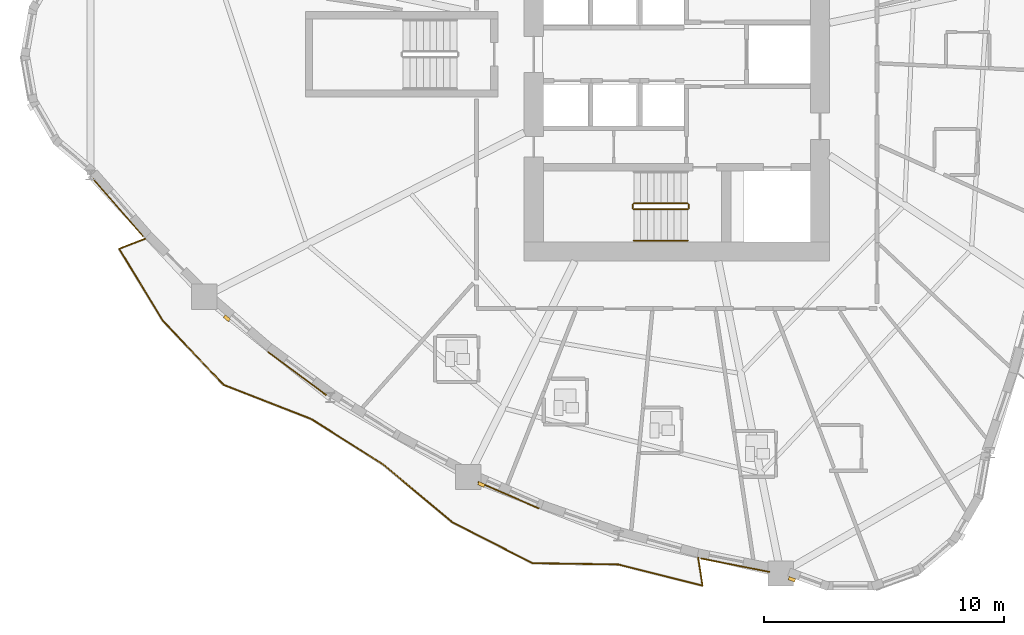
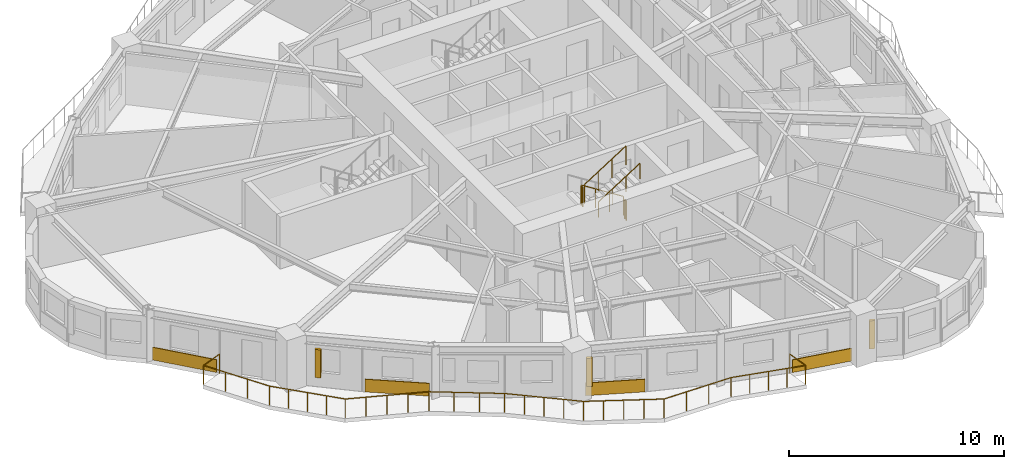
# One storey, part 10 of 14: 6 railings, 4 coverings, 3 shading devices.
"""IFC4 building model written with IfcOpenShell, lengths in metres."""

from ifc_helpers import new_model, si_unit, direction, frame, origin, origin_2d, place, context, subcontext, project, spatial, rectangle, circle, extrude, source, transform, mapped, material, layer, layer_set, type_object, element, save


model = new_model("IFC4")

# Units and contexts
model_context = context("Model", 3, precision=1e-05, world=origin(), true_north=direction((0.0, 1.0)))
body_context = subcontext(model_context, "Body", "Model", "MODEL_VIEW")
ifc_project = project(units=[si_unit("LENGTHUNIT", "METRE"), si_unit("AREAUNIT", "SQUARE_METRE"), si_unit("VOLUMEUNIT", "CUBIC_METRE"), si_unit("PLANEANGLEUNIT", "RADIAN"), si_unit("MASSUNIT", "GRAM", prefix="KILO")], contexts=[model_context])

# Site, building, storey
site_placement = place(None, origin())
site = spatial("IfcSite", under=ifc_project, at=site_placement, CompositionType="ELEMENT")
building_placement = place(site_placement, origin())
building = spatial("IfcBuilding", under=site, at=building_placement, Name="Qafzar Sky-Pleat Residences", CompositionType="ELEMENT")
storey_placement = place(building_placement, frame((0.0, 0.0, 20.60009765625)))
storey = spatial("IfcBuildingStorey", under=building, at=storey_placement, Name="L05", CompositionType="ELEMENT", Elevation=20.60009765625)

# Shading devices
ifc_material_1 = material(Name="Honed Riyadh limestone solar fin", Category="masonry")
ifc_layer_1 = layer(ifc_material_1, 0.139892578125)
ifc_layer_set_1 = layer_set([ifc_layer_1], Name="Honed Riyadh limestone solar fin")
shading_device_type = type_object("IfcShadingDeviceType", Name="SHD-FIN-STONE", PredefinedType="SHUTTER", material=ifc_layer_set_1)
shared_shape_1 = source(origin(), body_context, "Body", "SweptSolid", [
    extrude(rectangle(XDim=0.139892578125, YDim=0.280029296875, at=origin_2d()), origin(), (0.0, 0.0, 1.0), 1.60009765625),
])
for number, where, z_axis, x_axis, name in (
    (1, (11.630126953125, 15.019287109375, 0.599853515625), (0.0, 0.0, 1.0), (-0.65284819166, -0.757488771301, 0.0), "L05 Limestone Solar Fin 9"),
    (2, (22.21728515625, 8.102783203125, 0.599853515625), (0.0, 0.0, 1.0), (-0.398680095478, -0.917090061809, 0.0), "L05 Limestone Solar Fin 13"),
    (3, (35.13525390625, 4.159423828125, 0.599853515625), (0.0, 0.0, 1.0), (-0.342010122116, -0.939696268148, 0.0), "L05 Limestone Solar Fin 17"),
):
    element("IfcShadingDevice", number, at=place(storey_placement, frame(where, z_axis=z_axis, x_axis=x_axis)), inside=storey, type_object=shading_device_type, Name=name, PredefinedType="SHUTTER", context=body_context, shape_type="MappedRepresentation", body=[
        mapped(shared_shape_1, transform((0.0, 0.0, 0.0), x_axis=(1.0, 0.0, 0.0), y_axis=(0.0, 1.0, 0.0), z_axis=(0.0, 0.0, 1.0), scale=1.0)),
    ])

# Railing
ifc_material_2 = material(Name="Laminated glass and bronze steel balustrade", Category="steel")
railing_type_1 = type_object("IfcRailingType", Name="RAIL-BAL-1100", PredefinedType="BALUSTRADE", material=ifc_material_2)
shared_shape_2 = source(origin(), body_context, "Body", "SweptSolid", [
    extrude(circle(Radius=0.02392578125, at=origin_2d()), frame((0.0, 0.0, 1.076171875), z_axis=(-0.932230081544, -0.361866101017, 0.0), x_axis=(0.361866101017, -0.932230081544, 0.0)), (0.0, 0.0, 1.0), 1.177978515625),
    extrude(circle(Radius=0.02392578125, at=origin_2d()), frame((-1.09814453125, -0.42626953125, 1.076171875), z_axis=(0.519661726711, -0.854372102653, 0.0), x_axis=(0.854372102653, 0.519661726711, 0.0)), (0.0, 0.0, 1.0), 3.50341796875),
    extrude(circle(Radius=0.02392578125, at=origin_2d()), frame((0.722412109375, -3.41943359375, 1.076171875), z_axis=(0.687709565512, -0.725985918254, 0.0), x_axis=(0.725985918254, 0.687709565512, 0.0)), (0.0, 0.0, 1.0), 3.66748046875),
    extrude(circle(Radius=0.02392578125, at=origin_2d()), frame((3.24462890625, -6.08203125, 1.076171875), z_axis=(0.93144750127, -0.363875737552, 0.0), x_axis=(0.363875737552, 0.93144750127, 0.0)), (0.0, 0.0, 1.0), 3.9384765625),
    extrude(circle(Radius=0.02392578125, at=origin_2d()), frame((6.9130859375, -7.51513671875, 1.076171875), z_axis=(0.844773218855, -0.535124479636, 0.0), x_axis=(0.535124479636, 0.844773218855, 0.0)), (0.0, 0.0, 1.0), 3.52978515625),
    extrude(circle(Radius=0.02392578125, at=origin_2d()), frame((9.89501953125, -9.404052734375, 1.076171875), z_axis=(0.766833441336, -0.64184614453, 0.0), x_axis=(0.64184614453, 0.766833441336, 0.0)), (0.0, 0.0, 1.0), 3.72509765625),
    extrude(circle(Radius=0.02392578125, at=origin_2d()), frame((12.75146484375, -11.794921875, 1.076171875), z_axis=(0.890692057988, -0.454607146707, 0.0), x_axis=(0.454607146707, 0.890692057988, 0.0)), (0.0, 0.0, 1.0), 3.756591796875),
    extrude(circle(Radius=0.02392578125, at=origin_2d()), frame((16.097412109375, -13.502685546875, 1.076171875), z_axis=(0.999890937839, -0.014768629826, 0.0), x_axis=(0.014768629826, 0.999890937839, 0.0)), (0.0, 0.0, 1.0), 3.57080078125),
    extrude(circle(Radius=0.02392578125, at=origin_2d()), frame((19.667724609375, -13.555419921875, 1.076171875), z_axis=(0.969791216595, -0.243936459379, 0.0), x_axis=(0.243936459379, 0.969791216595, 0.0)), (0.0, 0.0, 1.0), 3.60791015625),
    extrude(circle(Radius=0.02392578125, at=origin_2d()), frame((23.166748046875, -14.435546875, 1.076171875), z_axis=(-0.152555587296, 0.988294891611, 0.0), x_axis=(-0.988294891611, -0.152555587296, 0.0)), (0.0, 0.0, 1.0), 1.177734375),
    extrude(circle(Radius=0.02099609375, at=origin_2d()), origin(), (0.0, 0.0, 1.0), 1.052001953125),
    extrude(circle(Radius=0.02099609375, at=origin_2d()), frame((-1.09814453125, -0.42626953125, 0.0)), (0.0, 0.0, 1.0), 1.052001953125),
    extrude(circle(Radius=0.02099609375, at=origin_2d()), frame((-0.4912109375, -1.424072265625, 0.0)), (0.0, 0.0, 1.0), 1.052001953125),
    extrude(circle(Radius=0.02099609375, at=origin_2d()), frame((0.115478515625, -2.421630859375, 0.0)), (0.0, 0.0, 1.0), 1.052001953125),
    extrude(circle(Radius=0.02099609375, at=origin_2d()), frame((0.722412109375, -3.41943359375, 0.0)), (0.0, 0.0, 1.0), 1.052001953125),
    extrude(circle(Radius=0.02099609375, at=origin_2d()), frame((1.35302734375, -4.0849609375, 0.0)), (0.0, 0.0, 1.0), 1.052001953125),
    extrude(circle(Radius=0.02099609375, at=origin_2d()), frame((1.9833984375, -4.750732421875, 0.0)), (0.0, 0.0, 1.0), 1.052001953125),
    extrude(circle(Radius=0.02099609375, at=origin_2d()), frame((2.614013671875, -5.41650390625, 0.0)), (0.0, 0.0, 1.0), 1.052001953125),
    extrude(circle(Radius=0.02099609375, at=origin_2d()), frame((3.24462890625, -6.08203125, 0.0)), (0.0, 0.0, 1.0), 1.052001953125),
    extrude(circle(Radius=0.02099609375, at=origin_2d()), frame((4.16162109375, -6.4404296875, 0.0)), (0.0, 0.0, 1.0), 1.052001953125),
    extrude(circle(Radius=0.02099609375, at=origin_2d()), frame((5.078857421875, -6.798583984375, 0.0)), (0.0, 0.0, 1.0), 1.052001953125),
    extrude(circle(Radius=0.02099609375, at=origin_2d()), frame((5.99609375, -7.15673828125, 0.0)), (0.0, 0.0, 1.0), 1.052001953125),
    extrude(circle(Radius=0.02099609375, at=origin_2d()), frame((6.9130859375, -7.51513671875, 0.0)), (0.0, 0.0, 1.0), 1.052001953125),
    extrude(circle(Radius=0.02099609375, at=origin_2d()), frame((7.906982421875, -8.144775390625, 0.0)), (0.0, 0.0, 1.0), 1.052001953125),
    extrude(circle(Radius=0.02099609375, at=origin_2d()), frame((8.901123046875, -8.7744140625, 0.0)), (0.0, 0.0, 1.0), 1.052001953125),
    extrude(circle(Radius=0.02099609375, at=origin_2d()), frame((9.89501953125, -9.404052734375, 0.0)), (0.0, 0.0, 1.0), 1.052001953125),
    extrude(circle(Radius=0.02099609375, at=origin_2d()), frame((10.609130859375, -10.001708984375, 0.0)), (0.0, 0.0, 1.0), 1.052001953125),
    extrude(circle(Radius=0.02099609375, at=origin_2d()), frame((11.3232421875, -10.599609375, 0.0)), (0.0, 0.0, 1.0), 1.052001953125),
    extrude(circle(Radius=0.02099609375, at=origin_2d()), frame((12.037353515625, -11.197265625, 0.0)), (0.0, 0.0, 1.0), 1.052001953125),
    extrude(circle(Radius=0.02099609375, at=origin_2d()), frame((12.75146484375, -11.794921875, 0.0)), (0.0, 0.0, 1.0), 1.052001953125),
    extrude(circle(Radius=0.02099609375, at=origin_2d()), frame((13.587890625, -12.221923828125, 0.0)), (0.0, 0.0, 1.0), 1.052001953125),
    extrude(circle(Radius=0.02099609375, at=origin_2d()), frame((14.42431640625, -12.64892578125, 0.0)), (0.0, 0.0, 1.0), 1.052001953125),
    extrude(circle(Radius=0.02099609375, at=origin_2d()), frame((15.260986328125, -13.07568359375, 0.0)), (0.0, 0.0, 1.0), 1.052001953125),
    extrude(circle(Radius=0.02099609375, at=origin_2d()), frame((16.097412109375, -13.502685546875, 0.0)), (0.0, 0.0, 1.0), 1.052001953125),
    extrude(circle(Radius=0.02099609375, at=origin_2d()), frame((17.28759765625, -13.520263671875, 0.0)), (0.0, 0.0, 1.0), 1.052001953125),
    extrude(circle(Radius=0.02099609375, at=origin_2d()), frame((18.4775390625, -13.537841796875, 0.0)), (0.0, 0.0, 1.0), 1.052001953125),
    extrude(circle(Radius=0.02099609375, at=origin_2d()), frame((19.667724609375, -13.555419921875, 0.0)), (0.0, 0.0, 1.0), 1.052001953125),
    extrude(circle(Radius=0.02099609375, at=origin_2d()), frame((20.54248046875, -13.775390625, 0.0)), (0.0, 0.0, 1.0), 1.052001953125),
    extrude(circle(Radius=0.02099609375, at=origin_2d()), frame((21.417236328125, -13.99560546875, 0.0)), (0.0, 0.0, 1.0), 1.052001953125),
    extrude(circle(Radius=0.02099609375, at=origin_2d()), frame((22.2919921875, -14.215576171875, 0.0)), (0.0, 0.0, 1.0), 1.052001953125),
    extrude(circle(Radius=0.02099609375, at=origin_2d()), frame((23.166748046875, -14.435546875, 0.0)), (0.0, 0.0, 1.0), 1.052001953125),
    extrude(circle(Radius=0.02099609375, at=origin_2d()), frame((22.987060546875, -13.271484375, 0.0)), (0.0, 0.0, 1.0), 1.052001953125),
])
railing_1_placement = place(storey_placement, frame((8.24853515625, 18.33251953125, 0.0)))
element("IfcRailing", 4, at=railing_1_placement, inside=storey, type_object=railing_type_1, Name="L05 Pleated Balcony 3 Balustrade", PredefinedType="BALUSTRADE", context=body_context, shape_type="MappedRepresentation", body=[
    mapped(shared_shape_2, transform((0.0, 0.0, 0.0), x_axis=(1.0, 0.0, 0.0), y_axis=(0.0, 1.0, 0.0), z_axis=(0.0, 0.0, 1.0), scale=1.0)),
])

# Coverings
ifc_material_3 = material(Name="Honed Riyadh Tuwaiq limestone cladding", Category="masonry")
ifc_layer_2 = layer(ifc_material_3, 0.044921875)
ifc_layer_set_2 = layer_set([ifc_layer_2], Name="Honed Riyadh Tuwaiq limestone cladding")
covering_type = type_object("IfcCoveringType", Name="COV-CLAD-STONE", PredefinedType="CLADDING", material=ifc_layer_set_2)
shared_shape_3 = source(origin(), body_context, "Body", "SweptSolid", [
    extrude(rectangle(XDim=3.17041015625, YDim=0.044921875, at=origin_2d()), origin(), (0.0, 0.0, 1.0), 0.719970703125),
])
covering_1_placement = place(storey_placement, frame((7.10986328125, 19.62060546875, 0.02001953125), z_axis=(0.0, 0.0, 1.0), x_axis=(0.65762184778, -0.753348196602, 0.0)))
element("IfcCovering", 5, at=covering_1_placement, inside=storey, type_object=covering_type, Name="L05 Riyadh Limestone Spandrel Cladding 7", PredefinedType="CLADDING", context=body_context, shape_type="MappedRepresentation", body=[
    mapped(shared_shape_3, transform((0.0, 0.0, 0.0), x_axis=(1.0, 0.0, 0.0), y_axis=(0.0, 1.0, 0.0), z_axis=(0.0, 0.0, 1.0), scale=1.0)),
])
shared_shape_4 = source(origin(), body_context, "Body", "SweptSolid", [
    extrude(rectangle(XDim=3.02001953125, YDim=0.044921875, at=origin_2d()), origin(), (0.0, 0.0, 1.0), 0.719970703125),
])
covering_2_placement = place(storey_placement, frame((14.55224609375, 12.71826171875, 0.02001953125), z_axis=(0.0, 0.0, 1.0), x_axis=(0.803806841776, -0.594890377393, 0.0)))
element("IfcCovering", 6, at=covering_2_placement, inside=storey, type_object=covering_type, Name="L05 Riyadh Limestone Spandrel Cladding 10", PredefinedType="CLADDING", context=body_context, shape_type="MappedRepresentation", body=[
    mapped(shared_shape_4, transform((0.0, 0.0, 0.0), x_axis=(1.0, 0.0, 0.0), y_axis=(0.0, 1.0, 0.0), z_axis=(0.0, 0.0, 1.0), scale=1.0)),
])
shared_shape_5 = source(origin(), body_context, "Body", "SweptSolid", [
    extrude(rectangle(XDim=2.76806640625, YDim=0.044921875, at=origin_2d()), origin(), (0.0, 0.0, 1.0), 0.719970703125),
])
covering_3_placement = place(storey_placement, frame((23.35009765625, 7.656982421875, 0.02001953125), z_axis=(0.0, 0.0, 1.0), x_axis=(0.917082462129, -0.398697576686, 0.0)))
element("IfcCovering", 7, at=covering_3_placement, inside=storey, type_object=covering_type, Name="L05 Riyadh Limestone Spandrel Cladding 13", PredefinedType="CLADDING", context=body_context, shape_type="MappedRepresentation", body=[
    mapped(shared_shape_5, transform((0.0, 0.0, 0.0), x_axis=(1.0, 0.0, 0.0), y_axis=(0.0, 1.0, 0.0), z_axis=(0.0, 0.0, 1.0), scale=1.0)),
])
shared_shape_6 = source(origin(), body_context, "Body", "SweptSolid", [
    extrude(rectangle(XDim=2.918212890625, YDim=0.044921875, at=origin_2d()), origin(), (0.0, 0.0, 1.0), 0.719970703125),
])
covering_4_placement = place(storey_placement, frame((32.783203125, 4.745849609375, 0.02001953125), z_axis=(0.0, 0.0, 1.0), x_axis=(0.981229963497, -0.192841278608, 0.0)))
element("IfcCovering", 8, at=covering_4_placement, inside=storey, type_object=covering_type, Name="L05 Riyadh Limestone Spandrel Cladding 16", PredefinedType="CLADDING", context=body_context, shape_type="MappedRepresentation", body=[
    mapped(shared_shape_6, transform((0.0, 0.0, 0.0), x_axis=(1.0, 0.0, 0.0), y_axis=(0.0, 1.0, 0.0), z_axis=(0.0, 0.0, 1.0), scale=1.0)),
])

# Railings
ifc_material_4 = material(Name="Painted Steel S355 stair guardrail", Category="steel")
railing_type_2 = type_object("IfcRailingType", Name="RAIL-STAIR-GUARD", PredefinedType="GUARDRAIL", material=ifc_material_4)
shared_shape_7 = source(origin(), body_context, "Body", "SweptSolid", [
    extrude(circle(Radius=0.02392578125, at=origin_2d()), frame((0.0, 0.0, 1.076171875), z_axis=(0.0, -1.0, 0.0), x_axis=(1.0, 0.0, 0.0)), (0.0, 0.0, 1.0), 0.14990234375),
    extrude(circle(Radius=0.02099609375, at=origin_2d()), origin(), (0.0, 0.0, 1.0), 1.052001953125),
    extrude(circle(Radius=0.02099609375, at=origin_2d()), frame((0.0, -0.14990234375, 0.0)), (0.0, 0.0, 1.0), 1.052001953125),
])
for number, where, name in (
    (9, (28.510009765625, 19.75, 1.599853515625), "L05 ST1 stair guard 2"),
    (10, (30.85009765625, 19.75, 0.0), "L05 ST1 stair guard 4"),
):
    element("IfcRailing", number, at=place(storey_placement, frame(where)), inside=storey, type_object=railing_type_2, Name=name, PredefinedType="GUARDRAIL", context=body_context, shape_type="MappedRepresentation", body=[
        mapped(shared_shape_7, transform((0.0, 0.0, 0.0), x_axis=(1.0, 0.0, 0.0), y_axis=(0.0, 1.0, 0.0), z_axis=(0.0, 0.0, 1.0), scale=1.0)),
    ])
shared_shape_8 = source(origin(), body_context, "Body", "SweptSolid", [
    extrude(circle(Radius=0.02392578125, at=origin_2d()), frame((0.0, 0.0, 1.076171875), z_axis=(-0.8442293374, 0.0, 0.53598211339), x_axis=(0.0, -1.0, 0.0)), (0.0, 0.0, 1.0), 2.6533203125),
    extrude(circle(Radius=0.02099609375, at=origin_2d()), origin(), (0.0, 0.0, 1.0), 1.052001953125),
    extrude(circle(Radius=0.02099609375, at=origin_2d()), frame((-0.74658203125, 0.0, 0.47412109375)), (0.0, 0.0, 1.0), 1.052001953125),
    extrude(circle(Radius=0.02099609375, at=origin_2d()), frame((-1.493408203125, 0.0, 0.947998046875)), (0.0, 0.0, 1.0), 1.052001953125),
    extrude(circle(Radius=0.02099609375, at=origin_2d()), frame((-2.239990234375, 0.0, 1.422119140625)), (0.0, 0.0, 1.0), 1.052001953125),
])
railing_2_placement = place(storey_placement, frame((30.800048828125, 19.800048828125, 0.177734375)))
element("IfcRailing", 11, at=railing_2_placement, inside=storey, type_object=railing_type_2, Name="L05 ST1 stair guard 1", PredefinedType="GUARDRAIL", context=body_context, shape_type="MappedRepresentation", body=[
    mapped(shared_shape_8, transform((0.0, 0.0, 0.0), x_axis=(1.0, 0.0, 0.0), y_axis=(0.0, 1.0, 0.0), z_axis=(0.0, 0.0, 1.0), scale=1.0)),
])
shared_shape_9 = source(origin(), body_context, "Body", "SweptSolid", [
    extrude(circle(Radius=0.02392578125, at=origin_2d()), frame((0.0, 0.0, 1.076171875), z_axis=(0.84418770128, 0.0, 0.536047689118), x_axis=(0.0, 1.0, 0.0)), (0.0, 0.0, 1.0), 2.6533203125),
    extrude(circle(Radius=0.02099609375, at=origin_2d()), origin(), (0.0, 0.0, 1.0), 1.052001953125),
    extrude(circle(Radius=0.02099609375, at=origin_2d()), frame((0.74658203125, 0.0, 0.47412109375)), (0.0, 0.0, 1.0), 1.052001953125),
    extrude(circle(Radius=0.02099609375, at=origin_2d()), frame((1.493408203125, 0.0, 0.9482421875)), (0.0, 0.0, 1.0), 1.052001953125),
    extrude(circle(Radius=0.02099609375, at=origin_2d()), frame((2.239990234375, 0.0, 1.42236328125)), (0.0, 0.0, 1.0), 1.052001953125),
])
railing_3_placement = place(storey_placement, frame((28.56005859375, 19.550048828125, 1.777587890625)))
element("IfcRailing", 12, at=railing_3_placement, inside=storey, type_object=railing_type_2, Name="L05 ST1 stair guard 3", PredefinedType="GUARDRAIL", context=body_context, shape_type="MappedRepresentation", body=[
    mapped(shared_shape_9, transform((0.0, 0.0, 0.0), x_axis=(1.0, 0.0, 0.0), y_axis=(0.0, 1.0, 0.0), z_axis=(0.0, 0.0, 1.0), scale=1.0)),
])
ifc_material_5 = material(Name="Brushed stainless steel handrail", Category="steel")
railing_type_3 = type_object("IfcRailingType", Name="RAIL-STAIR-HAND", PredefinedType="HANDRAIL", material=ifc_material_5)
shared_shape_10 = source(origin(), body_context, "Body", "SweptSolid", [
    extrude(circle(Radius=0.02392578125, at=origin_2d()), frame((0.0, 0.0, 0.8759765625), z_axis=(0.84418770128, 0.0, 0.536047689118), x_axis=(0.0, 1.0, 0.0)), (0.0, 0.0, 1.0), 2.6533203125),
    extrude(circle(Radius=0.02099609375, at=origin_2d()), origin(), (0.0, 0.0, 1.0), 0.851806640625),
    extrude(circle(Radius=0.02099609375, at=origin_2d()), frame((0.74658203125, 0.0, 0.47412109375)), (0.0, 0.0, 1.0), 0.851806640625),
    extrude(circle(Radius=0.02099609375, at=origin_2d()), frame((1.493408203125, 0.0, 0.9482421875)), (0.0, 0.0, 1.0), 0.851806640625),
    extrude(circle(Radius=0.02099609375, at=origin_2d()), frame((2.239990234375, 0.0, 1.42236328125)), (0.0, 0.0, 1.0), 0.851806640625),
])
railing_4_placement = place(storey_placement, frame((28.56005859375, 18.25, 1.777587890625)))
element("IfcRailing", 13, at=railing_4_placement, inside=storey, type_object=railing_type_3, Name="L05 ST1 stair handrail 2", PredefinedType="HANDRAIL", context=body_context, shape_type="MappedRepresentation", body=[
    mapped(shared_shape_10, transform((0.0, 0.0, 0.0), x_axis=(1.0, 0.0, 0.0), y_axis=(0.0, 1.0, 0.0), z_axis=(0.0, 0.0, 1.0), scale=1.0)),
])

save(model, "model.ifc")
